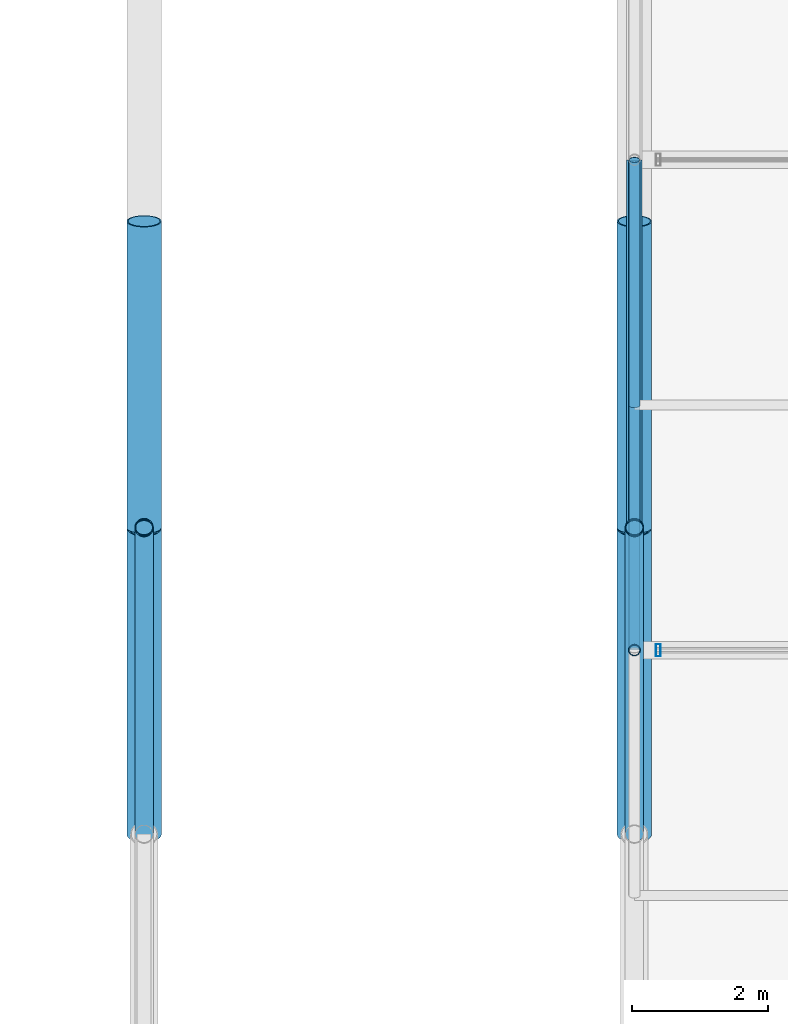
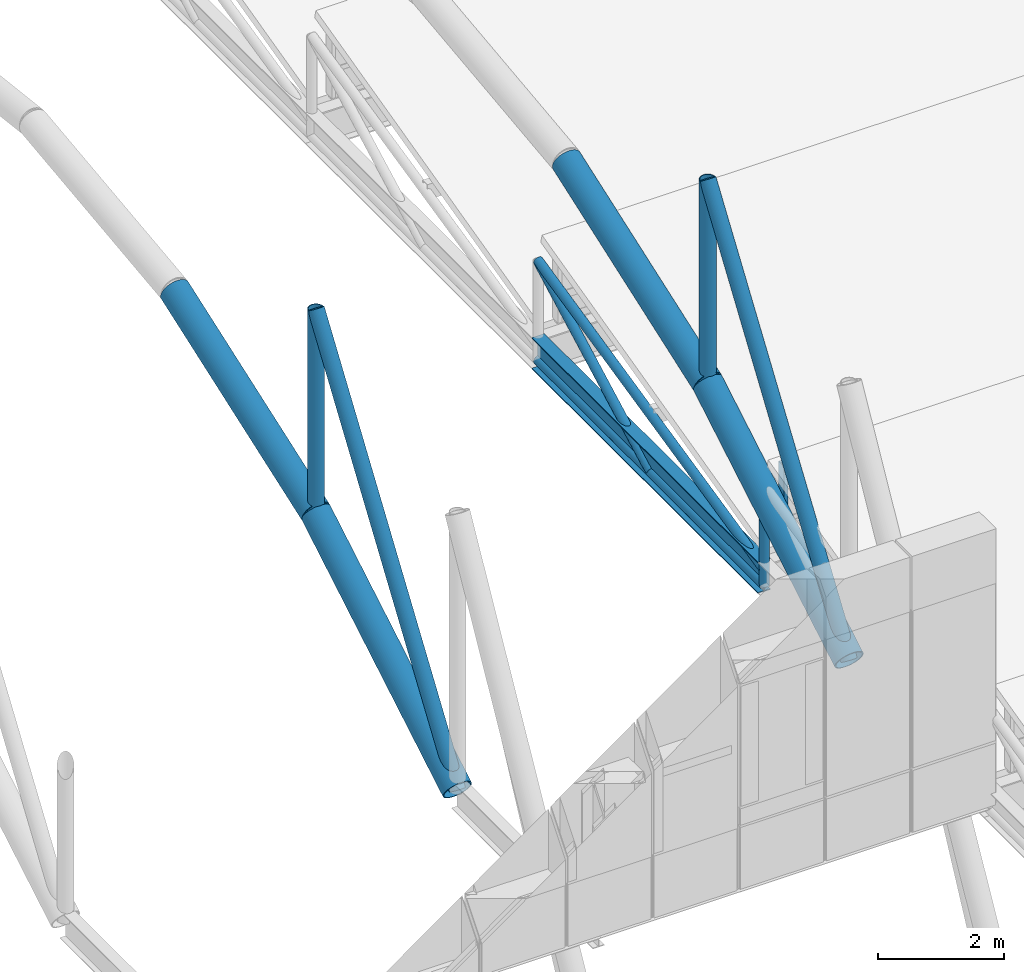
# One storey, part 38 of 144: 13 members, 1 beam, 1 element without a shape of its own.
"""IFC4 building model written with IfcOpenShell, lengths in metres."""

from ifc_helpers import new_model, si_unit, direction, frame, origin, origin_2d, place, context, subcontext, project, spatial, hollow_rectangle, hollow_circle, i_section, extrude, material, material_profile, profile_set, type_object, element, aggregate, save


model = new_model("IFC4")

# Units and contexts
model_context = context("Model", 3, precision=1e-05, world=origin(), true_north=direction((0.0, 1.0)))
body_context = subcontext(model_context, "Body", "Model", "MODEL_VIEW")
ifc_project = project(units=[si_unit("LENGTHUNIT", "METRE"), si_unit("AREAUNIT", "SQUARE_METRE"), si_unit("VOLUMEUNIT", "CUBIC_METRE"), si_unit("PLANEANGLEUNIT", "RADIAN"), si_unit("MASSUNIT", "GRAM", prefix="KILO")], contexts=[model_context])

# Site, building, storey
site_placement = place(None, origin())
site = spatial("IfcSite", under=ifc_project, at=site_placement, CompositionType="ELEMENT")
building_placement = place(site_placement, origin())
building = spatial("IfcBuilding", under=site, at=building_placement, Name="Yarey Park Central Fire Station", CompositionType="ELEMENT")
storey_placement = place(building_placement, frame((0.0, 0.0, 10.199951171875)))
storey = spatial("IfcBuildingStorey", under=building, at=storey_placement, Name="L03", CompositionType="ELEMENT", Elevation=10.199951171875)

# Curtain wall, member
ifc_material_1 = material(Name="Anodized Aluminium Frame", Category="aluminium")
curtain_wall_type = type_object("IfcCurtainWallType", Name="ENV_CW_SAW_18", PredefinedType="NOTDEFINED", material=ifc_material_1)
curtain_wall_placement = place(storey_placement, origin())
curtain_wall = element("IfcCurtainWall", 1, at=curtain_wall_placement, inside=storey, type_object=curtain_wall_type, Name="CW_L03_SAW_3_1", PredefinedType="NOTDEFINED")
ifc_material_profile_1 = material_profile(ifc_material_1, hollow_rectangle(XDim=0.070068359375, YDim=0.179931640625, WallThickness=0.00390625, at=origin_2d()), Name="ALU 180x70x4")
ifc_profile_set_1 = profile_set([ifc_material_profile_1], Name="Anodized Aluminium Frame")
member_type_1 = type_object("IfcMemberType", Name="ENV_CW_MULLION", PredefinedType="MULLION", material=ifc_profile_set_1)
member_1_placement = place(storey_placement, frame((137.14990234375, 64.800048828125, 0.0), z_axis=(0.0, 0.0, 1.0), x_axis=(1.0, 0.0, 0.0)))
member_1 = element("IfcMember", 2, at=member_1_placement, type_object=member_type_1, Name="CW_L03_SAW_3_1_MUL5", PredefinedType="MULLION", context=body_context, shape_type="SweptSolid", body=[
    extrude(hollow_rectangle(XDim=0.070068359375, YDim=0.179931640625, WallThickness=0.00390625, at=origin_2d()), origin(), (0.0, 0.0, 1.0), 1.580078125),
])
aggregate(curtain_wall, [member_1])

# Beam
ifc_material_2 = material(Name="Steel ASTM A992 Gr. 50", Category="steel")
ifc_material_profile_2 = material_profile(ifc_material_2, i_section(OverallWidth=0.22900390625, OverallDepth=0.612060546875, WebThickness=0.011962890625, FlangeThickness=0.01953125, at=origin_2d()), Name="W610x125")
ifc_profile_set_2 = profile_set([ifc_material_profile_2], Name="Steel ASTM A992 Gr. 50")
beam_type = type_object("IfcBeamType", Name="STR_BM_W610", PredefinedType="BEAM", material=ifc_profile_set_2)
beam_placement = place(storey_placement, frame((136.800048828125, 64.800048828125, -0.48583984375), z_axis=(0.0, 1.0, 0.0), x_axis=(-1.0, 0.0, 0.0)))
element("IfcBeam", 3, at=beam_placement, inside=storey, type_object=beam_type, Name="BMY L03 X1368 Y648", PredefinedType="BEAM", context=body_context, shape_type="SweptSolid", body=[
    extrude(i_section(OverallWidth=0.22900390625, OverallDepth=0.612060546875, WebThickness=0.011962890625, FlangeThickness=0.01953125, at=origin_2d()), origin(), (0.0, 0.0, 1.0), 7.199951171875),
])

# Members
ifc_material_3 = material(Name="Steel ASTM A500 Gr. C", Category="steel")
ifc_material_profile_3 = material_profile(ifc_material_3, hollow_circle(Radius=0.084228515625, WallThickness=0.008056640625, at=origin_2d()), Name="CHS 168.3x8")
ifc_profile_set_3 = profile_set([ifc_material_profile_3], Name="Steel ASTM A500 Gr. C")
member_type_2 = type_object("IfcMemberType", Name="STR_CHORD_CHS168", PredefinedType="CHORD", material=ifc_profile_set_3)
member_2_placement = place(storey_placement, frame((136.800048828125, 64.800048828125, -0.64990234375), z_axis=(0.0, 1.0, 0.0), x_axis=(-1.0, 0.0, 0.0)))
element("IfcMember", 4, at=member_2_placement, inside=storey, type_object=member_type_2, Name="SAW_T1_B4_BC", PredefinedType="CHORD", context=body_context, shape_type="SweptSolid", body=[
    extrude(hollow_circle(Radius=0.084228515625, WallThickness=0.008056640625, at=origin_2d()), origin(), (0.0, 0.0, 1.0), 7.199951171875),
])
member_3_placement = place(storey_placement, frame((136.800048828125, 64.800048828125, -0.349853515625), z_axis=(0.0, 0.975464150349, 0.220158332533), x_axis=(-1.0, 0.0, 0.0)))
element("IfcMember", 5, at=member_3_placement, inside=storey, type_object=member_type_2, Name="SAW_T1_B4_TC", PredefinedType="CHORD", context=body_context, shape_type="SweptSolid", body=[
    extrude(hollow_circle(Radius=0.084228515625, WallThickness=0.008056640625, at=origin_2d()), origin(), (0.0, 0.0, 1.0), 7.381103515625),
])
ifc_material_profile_4 = material_profile(ifc_material_3, hollow_circle(Radius=0.25390625, WallThickness=0.02001953125, at=origin_2d()), Name="CHS 508x20")
ifc_profile_set_4 = profile_set([ifc_material_profile_4], Name="Steel ASTM A500 Gr. C")
member_type_3 = type_object("IfcMemberType", Name="STR_CHORD_CHS508", PredefinedType="CHORD", material=ifc_profile_set_4)
member_4_placement = place(storey_placement, frame((129.60009765625, 62.10009765625, -0.481201171875), z_axis=(0.0, 0.8611645473, 0.508326295281), x_axis=(-1.0, 0.0, 0.0)))
element("IfcMember", 6, at=member_4_placement, inside=storey, type_object=member_type_3, Name="Arched Roof Truss ART_11 Bottom Chord 2", PredefinedType="CHORD", context=body_context, shape_type="SweptSolid", body=[
    extrude(hollow_circle(Radius=0.25390625, WallThickness=0.02001953125, at=origin_2d()), origin(), (0.0, 0.0, 1.0), 5.2255859375),
])
member_5_placement = place(storey_placement, frame((129.60009765625, 66.60009765625, 2.175048828125), z_axis=(0.0, 0.942627225161, 0.333847142245), x_axis=(-1.0, 0.0, 0.0)))
element("IfcMember", 7, at=member_5_placement, inside=storey, type_object=member_type_3, Name="Arched Roof Truss ART_11 Bottom Chord 3", PredefinedType="CHORD", context=body_context, shape_type="SweptSolid", body=[
    extrude(hollow_circle(Radius=0.25390625, WallThickness=0.02001953125, at=origin_2d()), origin(), (0.0, 0.0, 1.0), 4.77392578125),
])
member_6_placement = place(storey_placement, frame((136.800048828125, 62.10009765625, -0.481201171875), z_axis=(0.0, 0.8611645473, 0.508326295281), x_axis=(-1.0, 0.0, 0.0)))
element("IfcMember", 8, at=member_6_placement, inside=storey, type_object=member_type_3, Name="Arched Roof Truss ART_12 Bottom Chord 2", PredefinedType="CHORD", context=body_context, shape_type="SweptSolid", body=[
    extrude(hollow_circle(Radius=0.25390625, WallThickness=0.02001953125, at=origin_2d()), origin(), (0.0, 0.0, 1.0), 5.2255859375),
])
member_7_placement = place(storey_placement, frame((136.800048828125, 66.60009765625, 2.175048828125), z_axis=(0.0, 0.942627225161, 0.333847142245), x_axis=(-1.0, 0.0, 0.0)))
element("IfcMember", 9, at=member_7_placement, inside=storey, type_object=member_type_3, Name="Arched Roof Truss ART_12 Bottom Chord 3", PredefinedType="CHORD", context=body_context, shape_type="SweptSolid", body=[
    extrude(hollow_circle(Radius=0.25390625, WallThickness=0.02001953125, at=origin_2d()), origin(), (0.0, 0.0, 1.0), 4.77392578125),
])
ifc_material_profile_5 = material_profile(ifc_material_3, hollow_circle(Radius=0.084228515625, WallThickness=0.008056640625, at=origin_2d()), Name="CHS 168.3x8")
ifc_profile_set_5 = profile_set([ifc_material_profile_5], Name="Steel ASTM A500 Gr. C")
member_type_4 = type_object("IfcMemberType", Name="STR_WEB_CHS168", PredefinedType="BRACE", material=ifc_profile_set_5)
member_8_placement = place(storey_placement, frame((136.800048828125, 64.800048828125, -0.64990234375), z_axis=(0.0, 0.0, 1.0), x_axis=(1.0, 0.0, 0.0)))
element("IfcMember", 10, at=member_8_placement, inside=storey, type_object=member_type_4, Name="SAW_T1_B3_VT", PredefinedType="BRACE", context=body_context, shape_type="SweptSolid", body=[
    extrude(hollow_circle(Radius=0.084228515625, WallThickness=0.008056640625, at=origin_2d()), origin(), (0.0, 0.0, 1.0), 1.925048828125),
])
member_9_placement = place(storey_placement, frame((136.800048828125, 68.39990234375, -0.64990234375), z_axis=(0.0, 0.881844210833, 0.471540865483), x_axis=(-1.0, 0.0, 0.0)))
element("IfcMember", 11, at=member_9_placement, inside=storey, type_object=member_type_4, Name="SAW_T1_B4_DG", PredefinedType="BRACE", context=body_context, shape_type="SweptSolid", body=[
    extrude(hollow_circle(Radius=0.084228515625, WallThickness=0.008056640625, at=origin_2d()), origin(), (0.0, 0.0, 1.0), 4.08251953125),
])
ifc_material_profile_6 = material_profile(ifc_material_3, hollow_circle(Radius=0.136474609375, WallThickness=0.012451171875, at=origin_2d()), Name="CHS 273x12.5")
ifc_profile_set_6 = profile_set([ifc_material_profile_6], Name="Steel ASTM A500 Gr. C")
member_type_5 = type_object("IfcMemberType", Name="STR_WEB_CHS273", PredefinedType="BRACE", material=ifc_profile_set_6)
member_10_placement = place(storey_placement, frame((129.60009765625, 62.10009765625, -0.481201171875), z_axis=(0.0, 0.562095632178, 0.82707224611), x_axis=(-1.0, 0.0, 0.0)))
element("IfcMember", 12, at=member_10_placement, inside=storey, type_object=member_type_5, Name="Arched Roof Truss ART_11 Diagonal 2", PredefinedType="BRACE", context=body_context, shape_type="SweptSolid", body=[
    extrude(hollow_circle(Radius=0.136474609375, WallThickness=0.012451171875, at=origin_2d()), origin(), (0.0, 0.0, 1.0), 8.005859375),
])
member_11_placement = place(storey_placement, frame((129.60009765625, 66.60009765625, 2.175048828125), z_axis=(0.0, 0.0, 1.0), x_axis=(1.0, 0.0, 0.0)))
element("IfcMember", 13, at=member_11_placement, inside=storey, type_object=member_type_5, Name="Arched Roof Truss ART_11 Vertical 3", PredefinedType="BRACE", context=body_context, shape_type="SweptSolid", body=[
    extrude(hollow_circle(Radius=0.136474609375, WallThickness=0.012451171875, at=origin_2d()), origin(), (0.0, 0.0, 1.0), 3.965087890625),
])
member_12_placement = place(storey_placement, frame((136.800048828125, 62.10009765625, -0.481201171875), z_axis=(0.0, 0.562095632178, 0.82707224611), x_axis=(-1.0, 0.0, 0.0)))
element("IfcMember", 14, at=member_12_placement, inside=storey, type_object=member_type_5, Name="Arched Roof Truss ART_12 Diagonal 2", PredefinedType="BRACE", context=body_context, shape_type="SweptSolid", body=[
    extrude(hollow_circle(Radius=0.136474609375, WallThickness=0.012451171875, at=origin_2d()), origin(), (0.0, 0.0, 1.0), 8.005859375),
])
member_13_placement = place(storey_placement, frame((136.800048828125, 66.60009765625, 2.175048828125), z_axis=(0.0, 0.0, 1.0), x_axis=(1.0, 0.0, 0.0)))
element("IfcMember", 15, at=member_13_placement, inside=storey, type_object=member_type_5, Name="Arched Roof Truss ART_12 Vertical 3", PredefinedType="BRACE", context=body_context, shape_type="SweptSolid", body=[
    extrude(hollow_circle(Radius=0.136474609375, WallThickness=0.012451171875, at=origin_2d()), origin(), (0.0, 0.0, 1.0), 3.965087890625),
])

save(model, "model.ifc")
